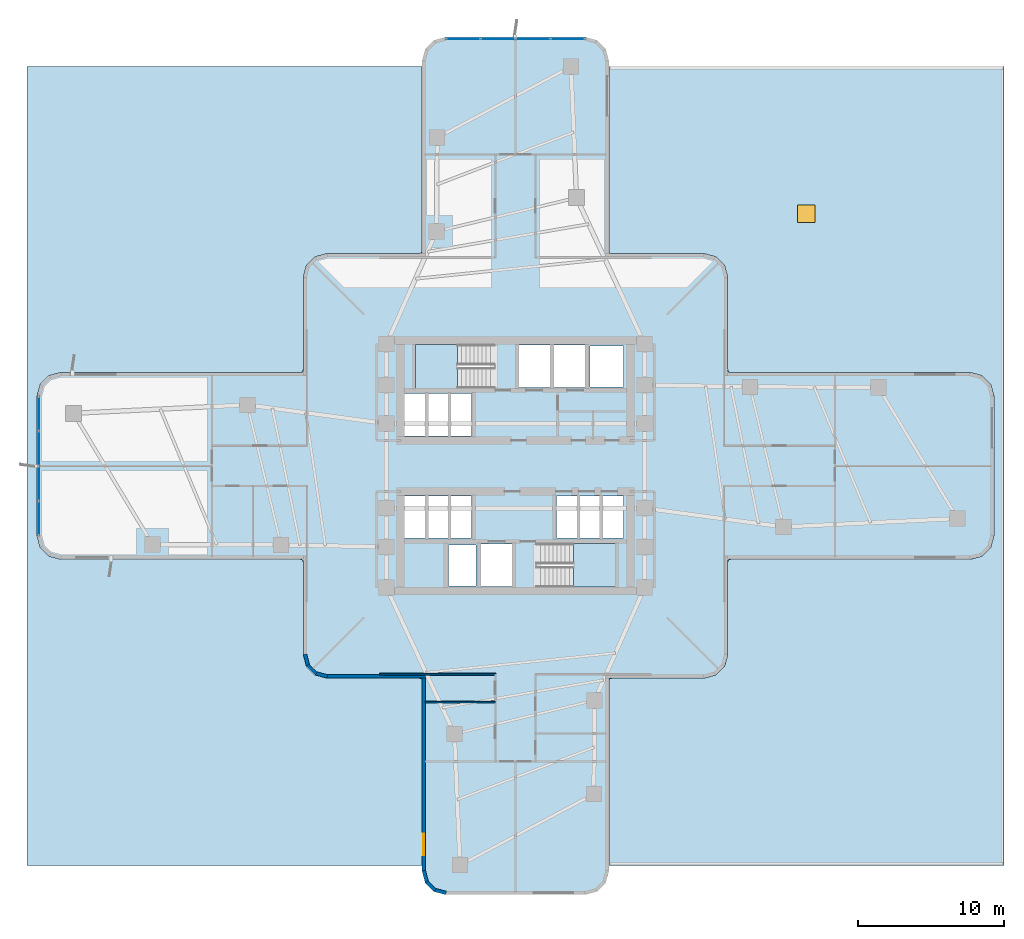
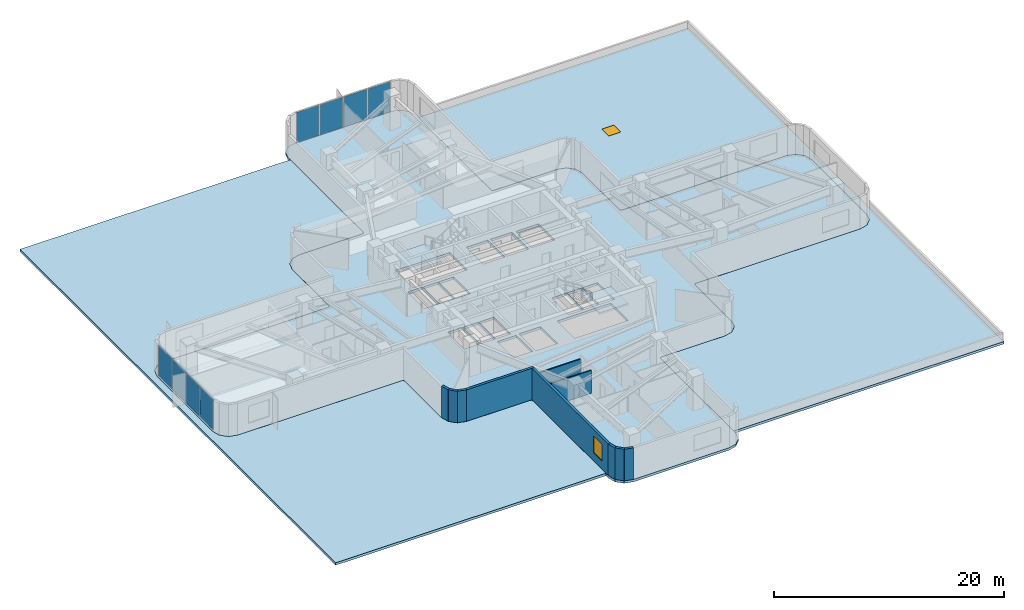
# One storey, part 7 of 14: 10 walls, 8 plates, 5 slabs, 2 windows, 2 openings, 4 elements without a shape of their own.
"""IFC4 building model written with IfcOpenShell, lengths in metres."""

from ifc_helpers import new_model, si_unit, direction, frame, frame_2d, origin, origin_2d, place, context, subcontext, project, spatial, polyline, rectangle, outline, extrude, material, layer, layer_set, type_object, element, fill, aggregate, save


model = new_model("IFC4")

# Units and contexts
model_context = context("Model", 3, precision=1e-05, world=origin(), true_north=direction((0.0, 1.0)))
body_context = subcontext(model_context, "Body", "Model", "MODEL_VIEW")
ifc_project = project(units=[si_unit("LENGTHUNIT", "METRE"), si_unit("AREAUNIT", "SQUARE_METRE"), si_unit("VOLUMEUNIT", "CUBIC_METRE"), si_unit("PLANEANGLEUNIT", "RADIAN"), si_unit("MASSUNIT", "GRAM", prefix="KILO")], contexts=[model_context])

# Site, building, storey
site_placement = place(None, origin())
site = spatial("IfcSite", under=ifc_project, at=site_placement, CompositionType="ELEMENT")
building_placement = place(site_placement, origin())
building = spatial("IfcBuilding", under=site, at=building_placement, Name="Solmarez Civic Tower", CompositionType="ELEMENT")
storey_placement = place(building_placement, frame((0.0, 0.0, 24.47998046875)))
storey = spatial("IfcBuildingStorey", under=building, at=storey_placement, Name="L05", CompositionType="ELEMENT", Elevation=24.47998046875)

# Curtain wall, plates
ifc_material_1 = material(Name="Bronze Anodised Aluminium EN AW-6063 T6", Category="aluminium")
ifc_layer_1 = layer(ifc_material_1, 0.18505859375)
ifc_layer_set_1 = layer_set([ifc_layer_1], Name="Bronze Anodised Aluminium EN AW-6063 T6")
curtain_wall_type = type_object("IfcCurtainWallType", Name="CW-SYS-2", PredefinedType="NOTDEFINED", material=ifc_layer_set_1)
curtain_wall_1_placement = place(storey_placement, origin())
curtain_wall_1 = element("IfcCurtainWall", 1, at=curtain_wall_1_placement, inside=storey, type_object=curtain_wall_type, Name="L05 Stick-Built Curtain Wall 1", PredefinedType="NOTDEFINED")
ifc_material_2 = material(Name="Solar Control Low-E Laminated Vision Glass", Category="glass")
ifc_layer_2 = layer(ifc_material_2, 0.031982421875)
ifc_layer_set_2 = layer_set([ifc_layer_2], Name="Solar Control Low-E Laminated Vision Glass")
plate_type = type_object("IfcPlateType", Name="CWP-GLAZ-32", PredefinedType="CURTAIN_PANEL", material=ifc_layer_set_2)
plate_1_placement = place(storey_placement, frame((-32.679931640625, -3.58935546875, 0.06494140625), z_axis=(0.0, 0.0, 1.0), x_axis=(0.0, 1.0, 0.0)))
plate_1 = element("IfcPlate", 2, at=plate_1_placement, type_object=plate_type, Name="CWS2 panel 1.1", PredefinedType="CURTAIN_PANEL", context=body_context, shape_type="SweptSolid", body=[
    extrude(rectangle(XDim=2.299560546875, YDim=0.031982421875, at=origin_2d()), origin(), (0.0, 0.0, 1.0), 3.2099609375),
])
plate_2_placement = place(storey_placement, frame((-32.679931640625, -1.2021484375, 0.06494140625), z_axis=(0.0, 0.0, 1.0), x_axis=(0.0, 1.0, 0.0)))
plate_2 = element("IfcPlate", 3, at=plate_2_placement, type_object=plate_type, Name="CWS2 panel 2.1", PredefinedType="CURTAIN_PANEL", context=body_context, shape_type="SweptSolid", body=[
    extrude(rectangle(XDim=2.33447265625, YDim=0.031982421875, at=origin_2d()), origin(), (0.0, 0.0, 1.0), 3.2099609375),
])
plate_3_placement = place(storey_placement, frame((-32.679931640625, 1.2021484375, 0.06494140625), z_axis=(0.0, 0.0, 1.0), x_axis=(0.0, 1.0, 0.0)))
plate_3 = element("IfcPlate", 4, at=plate_3_placement, type_object=plate_type, Name="CWS2 panel 3.1", PredefinedType="CURTAIN_PANEL", context=body_context, shape_type="SweptSolid", body=[
    extrude(rectangle(XDim=2.33447265625, YDim=0.031982421875, at=origin_2d()), origin(), (0.0, 0.0, 1.0), 3.2099609375),
])
plate_4_placement = place(storey_placement, frame((-32.679931640625, 3.58935546875, 0.06494140625), z_axis=(0.0, 0.0, 1.0), x_axis=(0.0, 1.0, 0.0)))
plate_4 = element("IfcPlate", 5, at=plate_4_placement, type_object=plate_type, Name="CWS2 panel 4.1", PredefinedType="CURTAIN_PANEL", context=body_context, shape_type="SweptSolid", body=[
    extrude(rectangle(XDim=2.299560546875, YDim=0.031982421875, at=origin_2d()), origin(), (0.0, 0.0, 1.0), 3.2099609375),
])
aggregate(curtain_wall_1, [plate_1, plate_2, plate_3, plate_4])

curtain_wall_2_placement = place(storey_placement, origin())
curtain_wall_2 = element("IfcCurtainWall", 6, at=curtain_wall_2_placement, inside=storey, type_object=curtain_wall_type, Name="L05 Stick-Built Curtain Wall 2", PredefinedType="NOTDEFINED")
plate_5_placement = place(storey_placement, frame((-3.58935546875, 29.280029296875, 0.06494140625), z_axis=(0.0, 0.0, 1.0), x_axis=(1.0, 0.0, 0.0)))
plate_5 = element("IfcPlate", 7, at=plate_5_placement, type_object=plate_type, Name="CWS2 panel 1.1", PredefinedType="CURTAIN_PANEL", context=body_context, shape_type="SweptSolid", body=[
    extrude(rectangle(XDim=2.299560546875, YDim=0.031982421875, at=origin_2d()), origin(), (0.0, 0.0, 1.0), 3.2099609375),
])
plate_6_placement = place(storey_placement, frame((-1.2021484375, 29.280029296875, 0.06494140625), z_axis=(0.0, 0.0, 1.0), x_axis=(1.0, 0.0, 0.0)))
plate_6 = element("IfcPlate", 8, at=plate_6_placement, type_object=plate_type, Name="CWS2 panel 2.1", PredefinedType="CURTAIN_PANEL", context=body_context, shape_type="SweptSolid", body=[
    extrude(rectangle(XDim=2.33447265625, YDim=0.031982421875, at=origin_2d()), origin(), (0.0, 0.0, 1.0), 3.2099609375),
])
plate_7_placement = place(storey_placement, frame((1.2021484375, 29.280029296875, 0.06494140625), z_axis=(0.0, 0.0, 1.0), x_axis=(1.0, 0.0, 0.0)))
plate_7 = element("IfcPlate", 9, at=plate_7_placement, type_object=plate_type, Name="CWS2 panel 3.1", PredefinedType="CURTAIN_PANEL", context=body_context, shape_type="SweptSolid", body=[
    extrude(rectangle(XDim=2.33447265625, YDim=0.031982421875, at=origin_2d()), origin(), (0.0, 0.0, 1.0), 3.2099609375),
])
plate_8_placement = place(storey_placement, frame((3.58935546875, 29.280029296875, 0.06494140625), z_axis=(0.0, 0.0, 1.0), x_axis=(1.0, 0.0, 0.0)))
plate_8 = element("IfcPlate", 10, at=plate_8_placement, type_object=plate_type, Name="CWS2 panel 4.1", PredefinedType="CURTAIN_PANEL", context=body_context, shape_type="SweptSolid", body=[
    extrude(rectangle(XDim=2.299560546875, YDim=0.031982421875, at=origin_2d()), origin(), (0.0, 0.0, 1.0), 3.2099609375),
])
aggregate(curtain_wall_2, [plate_5, plate_6, plate_7, plate_8])

# Stair, slab
ifc_material_3 = material(Name="Concrete C50/60", Category="concrete")
stair_type = type_object("IfcStairType", Name="STAIR-DOGLEG-140W-20R-1800", PredefinedType="HALF_TURN_STAIR", material=ifc_material_3)
stair_1_placement = place(storey_placement, origin())
stair_1 = element("IfcStair", 11, at=stair_1_placement, inside=storey, type_object=stair_type, Name="L05 North Core Protected Exit Stair ST-1", PredefinedType="HALF_TURN_STAIR")
ifc_layer_3 = layer(ifc_material_3, 0.199951171875)
ifc_layer_set_3 = layer_set([ifc_layer_3], Name="Concrete C50/60")
slab_type_1 = type_object("IfcSlabType", Name="SLAB-LANDING-200", PredefinedType="LANDING", material=ifc_layer_set_3)
slab_1_placement = place(storey_placement, frame((0.0, 0.0, 1.60009765625)))
slab_1 = element("IfcSlab", 12, at=slab_1_placement, type_object=slab_type_1, Name="ST-1 landing 1", PredefinedType="LANDING", context=body_context, shape_type="SweptSolid", body=[
    extrude(outline(polyline([(-3.969970703125, 8.320068359375), (-6.85009765625, 8.320068359375), (-6.85009765625, 5.320068359375), (-3.969970703125, 5.320068359375), (-3.969970703125, 8.320068359375)])), origin(), (0.0, 0.0, 1.0), 0.199951171875),
])
aggregate(stair_1, [slab_1])

stair_2_placement = place(storey_placement, origin())
stair_2 = element("IfcStair", 13, at=stair_2_placement, inside=storey, type_object=stair_type, Name="L05 South Core Protected Exit Stair ST-2", PredefinedType="HALF_TURN_STAIR")
slab_2_placement = place(storey_placement, frame((0.0, 0.0, 1.60009765625)))
slab_2 = element("IfcSlab", 14, at=slab_2_placement, type_object=slab_type_1, Name="ST-2 landing 1", PredefinedType="LANDING", context=body_context, shape_type="SweptSolid", body=[
    extrude(outline(polyline([(3.969970703125, -8.320068359375), (6.85009765625, -8.320068359375), (6.85009765625, -5.320068359375), (3.969970703125, -5.320068359375), (3.969970703125, -8.320068359375)])), origin(), (0.0, 0.0, 1.0), 0.199951171875),
])
aggregate(stair_2, [slab_2])

# Slab, opening, window
ifc_layer_4 = layer(ifc_material_3, 0.25)
ifc_layer_set_4 = layer_set([ifc_layer_4], Name="Concrete C50/60")
slab_type_2 = type_object("IfcSlabType", Name="SLAB-ROOF-250", PredefinedType="ROOF", material=ifc_layer_set_4)
slab_3_placement = place(storey_placement, frame((0.0, 0.0, -0.260009765625)))
slab_3 = element("IfcSlab", 15, at=slab_3_placement, inside=storey, type_object=slab_type_2, Name="L05 Setback Roof Slab 1", PredefinedType="ROOF", context=body_context, shape_type="SweptSolid", body=[
    extrude(outline(polyline([(6.402099609375, 27.39990234375), (6.402099609375, 14.760986328125), (6.446044921875, 14.595947265625), (6.611083984375, 14.552001953125), (12.950927734375, 14.552001953125), (13.7509765625, 14.3369140625), (14.337890625, 13.7509765625), (14.552001953125, 12.949951171875), (14.552001953125, 6.611083984375), (14.595947265625, 6.446044921875), (14.760986328125, 6.402099609375), (31.200927734375, 6.402099609375), (32.0009765625, 6.18701171875), (32.587890625, 5.60107421875), (32.802001953125, 4.800048828125), (32.802001953125, -4.801025390625), (32.5869140625, -5.60107421875), (32.0009765625, -6.18798828125), (31.199951171875, -6.402099609375), (14.760986328125, -6.402099609375), (14.595947265625, -6.446044921875), (14.552001953125, -6.611083984375), (14.552001953125, -12.950927734375), (14.3369140625, -13.7509765625), (13.7509765625, -14.337890625), (12.949951171875, -14.552001953125), (6.611083984375, -14.552001953125), (6.446044921875, -14.595947265625), (6.402099609375, -14.760986328125), (6.402099609375, -27.39990234375), (33.5, -27.39990234375), (33.5, 27.39990234375), (6.402099609375, 27.39990234375)])), origin(), (0.0, 0.0, 1.0), 0.260009765625),
])
opening_1_placement = place(slab_3_placement, frame((19.950927734375, 17.301025390625, 0.0)))
opening_1 = element("IfcOpeningElement", 16, at=opening_1_placement, cuts=slab_3, Name="Opening SK-01", PredefinedType="OPENING", context=body_context, shape_type="SweptSolid", body=[
    extrude(rectangle(XDim=1.199951171875, YDim=1.199951171875, at=origin_2d()), frame((0.0, 0.0, -0.010009765625)), (0.0, 0.0, 1.0), 0.280029296875),
])
ifc_material_4 = material(Name="Solar Control Bronze-Tinted Insulating Glass", Category="glass")
window_type_1 = type_object("IfcWindowType", Name="SKY-1200X1200", PartitioningType="SINGLE_PANEL", PredefinedType="SKYLIGHT", material=ifc_material_4)
window_1_placement = place(opening_1_placement, frame((0.0, 0.0, 0.2099609375)))
window_1 = element("IfcWindow", 17, at=window_1_placement, inside=storey, type_object=window_type_1, Name="L05 Roof Maintenance Skylight Hatch", OverallHeight=1.199951171875, OverallWidth=1.199951171875, PartitioningType="SINGLE_PANEL", PredefinedType="SKYLIGHT", context=body_context, shape_type="SweptSolid", body=[
    extrude(rectangle(XDim=1.199951171875, YDim=1.199951171875, at=origin_2d()), origin(), (0.0, 0.0, 1.0), 0.050048828125),
])
fill(opening_1, window_1)

# Slabs
slab_4_placement = place(storey_placement, frame((0.0, 0.0, -0.260009765625)))
element("IfcSlab", 18, at=slab_4_placement, inside=storey, type_object=slab_type_2, Name="L05 Setback Roof Slab 2", PredefinedType="ROOF", context=body_context, shape_type="SweptSolid", body=[
    extrude(outline(polyline([(-6.402099609375, -27.39990234375), (-6.402099609375, -14.760986328125), (-6.446044921875, -14.595947265625), (-6.611083984375, -14.552001953125), (-12.950927734375, -14.552001953125), (-13.7509765625, -14.3369140625), (-14.337890625, -13.7509765625), (-14.552001953125, -12.949951171875), (-14.552001953125, -6.611083984375), (-14.595947265625, -6.446044921875), (-14.760986328125, -6.402099609375), (-31.200927734375, -6.402099609375), (-32.0009765625, -6.18701171875), (-32.587890625, -5.60107421875), (-32.802001953125, -4.800048828125), (-32.802001953125, 4.801025390625), (-32.5869140625, 5.60107421875), (-32.0009765625, 6.18798828125), (-31.199951171875, 6.402099609375), (-14.760986328125, 6.402099609375), (-14.595947265625, 6.446044921875), (-14.552001953125, 6.611083984375), (-14.552001953125, 12.950927734375), (-14.3369140625, 13.7509765625), (-13.7509765625, 14.337890625), (-12.949951171875, 14.552001953125), (-6.611083984375, 14.552001953125), (-6.446044921875, 14.595947265625), (-6.402099609375, 14.760986328125), (-6.402099609375, 27.39990234375), (-33.5, 27.39990234375), (-33.5, -27.39990234375), (-6.402099609375, -27.39990234375)])), origin(), (0.0, 0.0, 1.0), 0.260009765625),
])
ifc_layer_5 = layer(ifc_material_3, 0.260009765625)
ifc_layer_set_5 = layer_set([ifc_layer_5], Name="Concrete C50/60")
slab_type_3 = type_object("IfcSlabType", Name="SLAB-TOWER-260", PredefinedType="FLOOR", material=ifc_layer_set_5)
slab_5_placement = place(storey_placement, frame((0.0, 0.0, -0.260009765625)))
element("IfcSlab", 19, at=slab_5_placement, inside=storey, type_object=slab_type_3, Name="L05 Structural Slab", PredefinedType="FLOOR", context=body_context, shape_type="SweptSolid", body=[
    extrude(outline(polyline([(-14.550048828125, -6.611083984375), (-14.550048828125, -12.949951171875), (-14.3359375, -13.75), (-13.75, -14.3359375), (-12.949951171875, -14.550048828125), (-6.611083984375, -14.550048828125), (-6.445068359375, -14.594970703125), (-6.39990234375, -14.760986328125), (-6.39990234375, -27.800048828125), (-6.18603515625, -28.60009765625), (-5.60009765625, -29.18603515625), (-4.800048828125, -29.39990234375), (4.800048828125, -29.39990234375), (5.60009765625, -29.18603515625), (6.18603515625, -28.60009765625), (6.39990234375, -27.800048828125), (6.39990234375, -14.760986328125), (6.445068359375, -14.594970703125), (6.611083984375, -14.550048828125), (12.949951171875, -14.550048828125), (13.75, -14.3359375), (14.3359375, -13.75), (14.550048828125, -12.949951171875), (14.550048828125, -6.611083984375), (14.594970703125, -6.445068359375), (14.760986328125, -6.39990234375), (31.199951171875, -6.39990234375), (32.0, -6.18603515625), (32.5859375, -5.60009765625), (32.800048828125, -4.800048828125), (32.800048828125, 4.800048828125), (32.5859375, 5.60009765625), (32.0, 6.18603515625), (31.199951171875, 6.39990234375), (14.760986328125, 6.39990234375), (14.594970703125, 6.445068359375), (14.550048828125, 6.611083984375), (14.550048828125, 12.949951171875), (14.3359375, 13.75), (13.75, 14.3359375), (12.949951171875, 14.550048828125), (6.611083984375, 14.550048828125), (6.445068359375, 14.594970703125), (6.39990234375, 14.760986328125), (6.39990234375, 27.800048828125), (6.18603515625, 28.60009765625), (5.60009765625, 29.18603515625), (4.800048828125, 29.39990234375), (-4.800048828125, 29.39990234375), (-5.60009765625, 29.18603515625), (-6.18603515625, 28.60009765625), (-6.39990234375, 27.800048828125), (-6.39990234375, 14.760986328125), (-6.445068359375, 14.594970703125), (-6.611083984375, 14.550048828125), (-12.949951171875, 14.550048828125), (-13.75, 14.3359375), (-14.3359375, 13.75), (-14.550048828125, 12.949951171875), (-14.550048828125, 6.611083984375), (-14.594970703125, 6.445068359375), (-14.760986328125, 6.39990234375), (-31.199951171875, 6.39990234375), (-32.0, 6.18603515625), (-32.5859375, 5.60009765625), (-32.800048828125, 4.800048828125), (-32.800048828125, -4.800048828125), (-32.5859375, -5.60009765625), (-32.0, -6.18603515625), (-31.199951171875, -6.39990234375), (-14.760986328125, -6.39990234375), (-14.594970703125, -6.445068359375), (-14.550048828125, -6.611083984375)]), holes=[polyline([(-1.449951171875, 8.320068359375), (-6.85009765625, 8.320068359375), (-6.85009765625, 5.320068359375), (-1.449951171875, 5.320068359375), (-1.449951171875, 8.320068359375)]), polyline([(1.449951171875, -8.320068359375), (6.85009765625, -8.320068359375), (6.85009765625, -5.320068359375), (1.449951171875, -5.320068359375), (1.449951171875, -8.320068359375)]), polyline([(0.219970703125, 5.360107421875), (2.3798828125, 5.360107421875), (2.3798828125, 8.280029296875), (0.219970703125, 8.280029296875), (0.219970703125, 5.360107421875)]), polyline([(2.6201171875, 5.360107421875), (4.780029296875, 5.360107421875), (4.780029296875, 8.280029296875), (2.6201171875, 8.280029296875), (2.6201171875, 5.360107421875)]), polyline([(-2.3798828125, -8.280029296875), (-0.219970703125, -8.280029296875), (-0.219970703125, -5.360107421875), (-2.3798828125, -5.360107421875), (-2.3798828125, -8.280029296875)]), polyline([(2.800048828125, -4.9599609375), (4.280029296875, -4.9599609375), (4.280029296875, -2.06005859375), (2.800048828125, -2.06005859375), (2.800048828125, -4.9599609375)]), polyline([(4.360107421875, -4.9599609375), (5.840087890625, -4.9599609375), (5.840087890625, -2.06005859375), (4.360107421875, -2.06005859375), (4.360107421875, -4.9599609375)]), polyline([(5.919921875, -4.9599609375), (7.39990234375, -4.9599609375), (7.39990234375, -2.06005859375), (5.919921875, -2.06005859375), (5.919921875, -4.9599609375)]), polyline([(-7.60009765625, -4.9599609375), (-6.1201171875, -4.9599609375), (-6.1201171875, -2.06005859375), (-7.60009765625, -2.06005859375), (-7.60009765625, -4.9599609375)]), polyline([(-6.0400390625, -4.9599609375), (-4.56005859375, -4.9599609375), (-4.56005859375, -2.06005859375), (-6.0400390625, -2.06005859375), (-6.0400390625, -4.9599609375)]), polyline([(-4.47998046875, -4.9599609375), (-3.0, -4.9599609375), (-3.0, -2.06005859375), (-4.47998046875, -2.06005859375), (-4.47998046875, -4.9599609375)]), polyline([(-7.60009765625, 2.06005859375), (-6.1201171875, 2.06005859375), (-6.1201171875, 4.9599609375), (-7.60009765625, 4.9599609375), (-7.60009765625, 2.06005859375)]), polyline([(-6.0400390625, 2.06005859375), (-4.56005859375, 2.06005859375), (-4.56005859375, 4.9599609375), (-6.0400390625, 4.9599609375), (-6.0400390625, 2.06005859375)]), polyline([(-4.47998046875, 2.06005859375), (-3.0, 2.06005859375), (-3.0, 4.9599609375), (-4.47998046875, 4.9599609375), (-4.47998046875, 2.06005859375)]), polyline([(5.10009765625, 5.419921875), (7.39990234375, 5.419921875), (7.39990234375, 8.219970703125), (5.10009765625, 8.219970703125), (5.10009765625, 5.419921875)]), polyline([(-4.60009765625, -8.219970703125), (-2.699951171875, -8.219970703125), (-2.699951171875, -5.419921875), (-4.60009765625, -5.419921875), (-4.60009765625, -8.219970703125)])]), origin(), (0.0, 0.0, 1.0), 0.260009765625),
])

# Walls
ifc_material_5 = material(Name="Precast concrete C40/50", Category="concrete")
ifc_layer_6 = layer(ifc_material_5, 0.239990234375)
ifc_layer_set_6 = layer_set([ifc_layer_6], Name="Precast concrete C40/50")
wall_type_1 = type_object("IfcWallType", Name="WALL-EXT-240", PredefinedType="SOLIDWALL", material=ifc_layer_set_6)
wall_1_placement = place(storey_placement, frame((-4.760009765625, -29.285888671875, 0.0), z_axis=(0.0, 0.0, 1.0), x_axis=(-0.966234939601, 0.25766265056, 0.0)))
element("IfcWall", 20, at=wall_1_placement, inside=storey, type_object=wall_type_1, Name="L05 Exterior Precast Wall 61", PredefinedType="SOLIDWALL", context=body_context, shape_type="SweptSolid", body=[
    extrude(rectangle(XDim=0.830078125, YDim=0.239990234375, at=frame_2d((0.4150390625, 0.0))), origin(), (0.0, 0.0, 1.0), 3.340087890625),
])
wall_2_placement = place(storey_placement, frame((-5.52001953125, -29.095947265625, 0.0), z_axis=(0.0, 0.0, 1.0), x_axis=(-0.707106781187, 0.707106781187, 0.0)))
element("IfcWall", 21, at=wall_2_placement, inside=storey, type_object=wall_type_1, Name="L05 Exterior Precast Wall 62", PredefinedType="SOLIDWALL", context=body_context, shape_type="SweptSolid", body=[
    extrude(rectangle(XDim=0.814453125, YDim=0.239990234375, at=frame_2d((0.4072265625, 0.0))), origin(), (0.0, 0.0, 1.0), 3.340087890625),
])
wall_3_placement = place(storey_placement, frame((-6.072021484375, -28.56201171875, 0.0), z_axis=(0.0, 0.0, 1.0), x_axis=(-0.25766265056, 0.966234939601, 0.0)))
element("IfcWall", 22, at=wall_3_placement, inside=storey, type_object=wall_type_1, Name="L05 Exterior Precast Wall 63", PredefinedType="SOLIDWALL", context=body_context, shape_type="SweptSolid", body=[
    extrude(rectangle(XDim=0.830078125, YDim=0.239990234375, at=frame_2d((0.4150390625, 0.0))), origin(), (0.0, 0.0, 1.0), 3.340087890625),
])

# Wall, opening, window
wall_4_placement = place(storey_placement, frame((-6.280029296875, -27.80908203125, 0.0), z_axis=(0.0, 0.0, 1.0), x_axis=(0.0, 1.0, 0.0)))
wall_4 = element("IfcWall", 23, at=wall_4_placement, inside=storey, type_object=wall_type_1, Name="L05 Exterior Precast Wall 64", PredefinedType="SOLIDWALL", context=body_context, shape_type="SweptSolid", body=[
    extrude(rectangle(XDim=13.47509765625, YDim=0.239990234375, at=frame_2d((6.737548828125, 0.0))), origin(), (0.0, 0.0, 1.0), 3.340087890625),
])
opening_2_placement = place(wall_4_placement, frame((1.10009765625, 0.0, 0.85009765625)))
opening_2 = element("IfcOpeningElement", 24, at=opening_2_placement, cuts=wall_4, Name="Opening W-13", PredefinedType="OPENING", context=body_context, shape_type="SweptSolid", body=[
    extrude(rectangle(XDim=1.5, YDim=1.800048828125, at=frame_2d((0.75, 0.89990234375))), frame((0.0, 0.1298828125, 0.0), z_axis=(0.0, -1.0, 0.0), x_axis=(1.0, 0.0, 0.0)), (0.0, 0.0, 1.0), 0.260009765625),
])
window_type_2 = type_object("IfcWindowType", Name="WIN-1500X1800", PartitioningType="SINGLE_PANEL", PredefinedType="WINDOW", material=ifc_material_4)
window_2_placement = place(opening_2_placement, origin())
window_2 = element("IfcWindow", 25, at=window_2_placement, inside=storey, type_object=window_type_2, Name="L05 Exterior Facade Window 64", OverallHeight=1.800048828125, OverallWidth=1.5, PartitioningType="SINGLE_PANEL", PredefinedType="WINDOW", context=body_context, shape_type="SweptSolid", body=[
    extrude(rectangle(XDim=1.5, YDim=1.800048828125, at=frame_2d((0.75, 0.89990234375))), frame((0.0, 0.030029296875, 0.0), z_axis=(0.0, -1.0, 0.0), x_axis=(1.0, 0.0, 0.0)), (0.0, 0.0, 1.0), 0.06005859375),
])
fill(opening_2, window_2)

# Walls
wall_5_placement = place(storey_placement, frame((-6.18408203125, -14.429931640625, 0.0), z_axis=(0.0, 0.0, 1.0), x_axis=(-1.0, 0.0, 0.0)))
element("IfcWall", 26, at=wall_5_placement, inside=storey, type_object=wall_type_1, Name="L05 Exterior Precast Wall 67", PredefinedType="SOLIDWALL", context=body_context, shape_type="SweptSolid", body=[
    extrude(rectangle(XDim=6.77490234375, YDim=0.239990234375, at=frame_2d((3.387451171875, 0.0))), origin(), (0.0, 0.0, 1.0), 3.340087890625),
])
wall_6_placement = place(storey_placement, frame((-12.909912109375, -14.43603515625, 0.0), z_axis=(0.0, 0.0, 1.0), x_axis=(-0.966161677396, 0.257937227116, 0.0)))
element("IfcWall", 27, at=wall_6_placement, inside=storey, type_object=wall_type_1, Name="L05 Exterior Precast Wall 68", PredefinedType="SOLIDWALL", context=body_context, shape_type="SweptSolid", body=[
    extrude(rectangle(XDim=0.830078125, YDim=0.239990234375, at=frame_2d((0.4150390625, 0.0))), origin(), (0.0, 0.0, 1.0), 3.340087890625),
])
wall_7_placement = place(storey_placement, frame((-13.669921875, -14.24609375, 0.0), z_axis=(0.0, 0.0, 1.0), x_axis=(-0.707106781187, 0.707106781187, 0.0)))
element("IfcWall", 28, at=wall_7_placement, inside=storey, type_object=wall_type_1, Name="L05 Exterior Precast Wall 69", PredefinedType="SOLIDWALL", context=body_context, shape_type="SweptSolid", body=[
    extrude(rectangle(XDim=0.81494140625, YDim=0.239990234375, at=frame_2d((0.407470703125, 0.0))), origin(), (0.0, 0.0, 1.0), 3.340087890625),
])
wall_8_placement = place(storey_placement, frame((-14.221923828125, -13.7119140625, 0.0), z_axis=(0.0, 0.0, 1.0), x_axis=(-0.257937227116, 0.966161677396, 0.0)))
element("IfcWall", 29, at=wall_8_placement, inside=storey, type_object=wall_type_1, Name="L05 Exterior Precast Wall 70", PredefinedType="SOLIDWALL", context=body_context, shape_type="SweptSolid", body=[
    extrude(rectangle(XDim=0.830078125, YDim=0.239990234375, at=frame_2d((0.4150390625, 0.0))), origin(), (0.0, 0.0, 1.0), 3.340087890625),
])
ifc_material_6 = material(Name="Gypsum Board Acoustic Steel-Stud Partition", Category="steel")
ifc_layer_7 = layer(ifc_material_6, 0.110107421875)
ifc_layer_set_7 = layer_set([ifc_layer_7], Name="Gypsum Board Acoustic Steel-Stud Partition")
wall_type_2 = type_object("IfcWallType", Name="WALL-INT-PART-110", PredefinedType="PARTITIONING", material=ifc_layer_set_7)
wall_9_placement = place(storey_placement, frame((-9.320068359375, -14.2900390625, 0.0), z_axis=(0.0, 0.0, 1.0), x_axis=(1.0, 0.0, 0.0)))
element("IfcWall", 30, at=wall_9_placement, inside=storey, type_object=wall_type_2, Name="L05 Interior Partition PT-L05-S-EFR", PredefinedType="PARTITIONING", context=body_context, shape_type="SweptSolid", body=[
    extrude(rectangle(XDim=7.949951171875, YDim=0.110107421875, at=frame_2d((3.97509765625, 0.0))), origin(), (0.0, 0.0, 1.0), 2.4208984375),
])
wall_10_placement = place(storey_placement, frame((-6.195068359375, -16.199951171875, 0.0), z_axis=(0.0, 0.0, 1.0), x_axis=(1.0, 0.0, 0.0)))
element("IfcWall", 31, at=wall_10_placement, inside=storey, type_object=wall_type_2, Name="L05 Interior Partition PT-L05-S-RM", PredefinedType="PARTITIONING", context=body_context, shape_type="SweptSolid", body=[
    extrude(rectangle(XDim=4.795166015625, YDim=0.110107421875, at=frame_2d((2.3974609375, 0.0))), origin(), (0.0, 0.0, 1.0), 2.4208984375),
])

save(model, "model.ifc")
